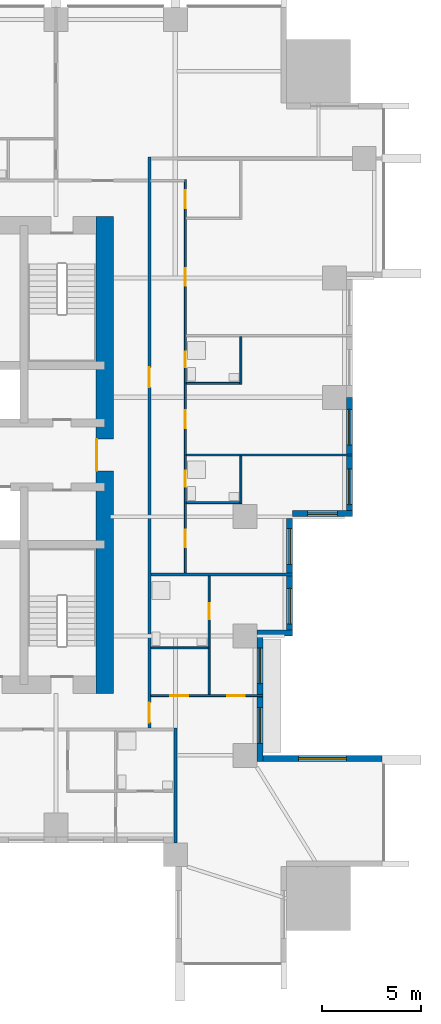
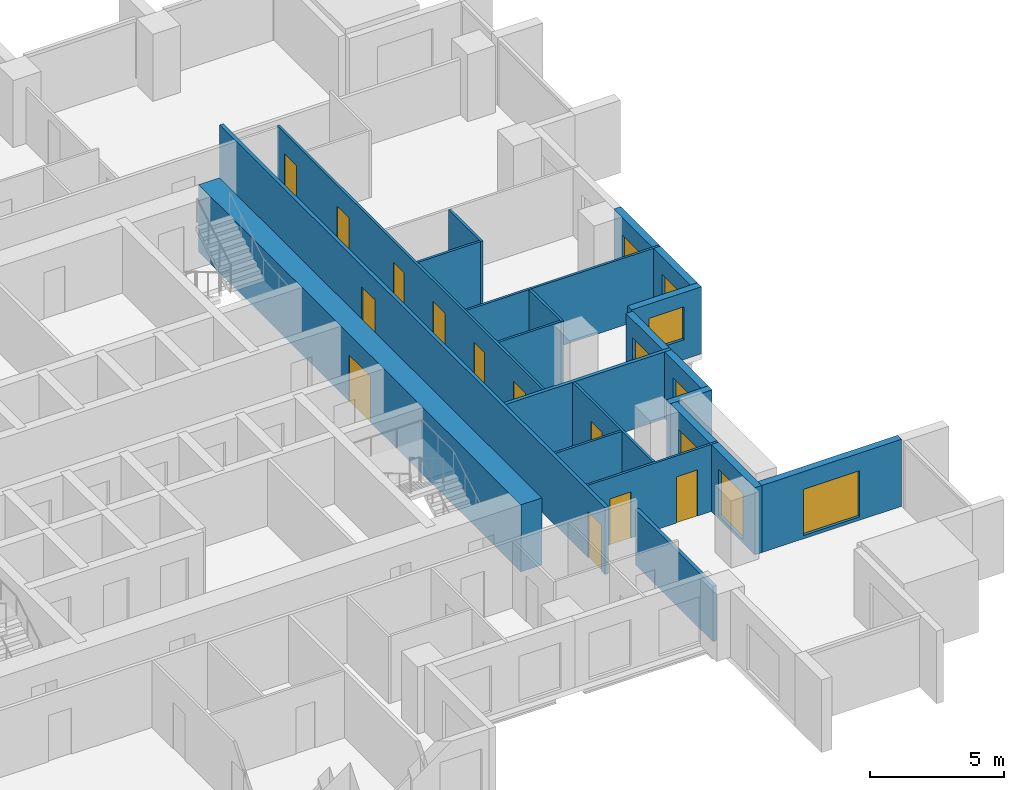
# One storey, part 6 of 10: 19 walls, 12 doors, 8 windows, 20 openings.
"""IFC4 building model written with IfcOpenShell, lengths in metres."""

from ifc_helpers import new_model, si_unit, direction, frame, frame_2d, origin, place, context, subcontext, project, spatial, rectangle, extrude, material, layer, layer_set, type_object, element, fill, save


model = new_model("IFC4")

# Units and contexts
model_context = context("Model", 3, precision=1e-05, world=origin(), true_north=direction((0.0, 1.0)))
body_context = subcontext(model_context, "Body", "Model", "MODEL_VIEW")
ifc_project = project(units=[si_unit("LENGTHUNIT", "METRE"), si_unit("AREAUNIT", "SQUARE_METRE"), si_unit("VOLUMEUNIT", "CUBIC_METRE"), si_unit("PLANEANGLEUNIT", "RADIAN"), si_unit("MASSUNIT", "GRAM", prefix="KILO")], contexts=[model_context])

# Site, building, storey
site_placement = place(None, origin())
site = spatial("IfcSite", under=ifc_project, at=site_placement, CompositionType="ELEMENT")
building_placement = place(site_placement, origin())
building = spatial("IfcBuilding", under=site, at=building_placement, Name="Amberfall Residences", CompositionType="ELEMENT")
storey_placement = place(building_placement, frame((0.0, 0.0, 46.60009765625)))
storey = spatial("IfcBuildingStorey", under=building, at=storey_placement, Name="L12", CompositionType="ELEMENT", Elevation=46.60009765625)

# Wall, opening, window
ifc_material_1 = material(Name="Pale stone cladding on insulated backing", Category="masonry")
ifc_layer_1 = layer(ifc_material_1, 0.300048828125)
ifc_layer_set_1 = layer_set([ifc_layer_1], Name="Bronze clad wall 300")
wall_type_1 = type_object("IfcWallType", Name="Bronze clad wall 300", PredefinedType="SOLIDWALL", material=ifc_layer_set_1)
wall_1_placement = place(storey_placement, frame((100.0, 30.25, 0.0), z_axis=(0.0, 0.0, 1.0), x_axis=(-1.0, 0.0, 0.0)))
wall_1 = element("IfcWall", 1, at=wall_1_placement, inside=storey, type_object=wall_type_1, Name="External wall L12 E", PredefinedType="SOLIDWALL", context=body_context, shape_type="SweptSolid", body=[
    extrude(rectangle(XDim=6.0, YDim=0.300048828125, at=frame_2d((3.0, 0.0))), origin(), (0.0, 0.0, 1.0), 3.0498046875),
])
opening_1_placement = place(wall_1_placement, frame((1.800048828125, 0.0, 0.14990234375)))
opening_1 = element("IfcOpeningElement", 2, at=opening_1_placement, cuts=wall_1, Name="Opening WN5", PredefinedType="OPENING", context=body_context, shape_type="SweptSolid", body=[
    extrude(rectangle(XDim=2.39990234375, YDim=2.10009765625, at=frame_2d((1.199951171875, 1.050048828125))), frame((0.0, 0.159912109375, 0.0), z_axis=(0.0, -1.0, 0.0), x_axis=(1.0, 0.0, 0.0)), (0.0, 0.0, 1.0), 0.320068359375),
])
ifc_material_2 = material(Name="Bronze aluminium framed glazing", Category="aluminium")
window_type_1 = type_object("IfcWindowType", Name="Glazed opening 2400 x 2100 bronze", PartitioningType="DOUBLE_PANEL_VERTICAL", PredefinedType="WINDOW", material=ifc_material_2)
window_1_placement = place(opening_1_placement, origin())
window_1 = element("IfcWindow", 3, at=window_1_placement, inside=storey, type_object=window_type_1, Name="Window L12 E", OverallHeight=2.10009765625, OverallWidth=2.39990234375, PartitioningType="DOUBLE_PANEL_VERTICAL", PredefinedType="WINDOW", context=body_context, shape_type="SweptSolid", body=[
    extrude(rectangle(XDim=2.39990234375, YDim=2.10009765625, at=frame_2d((1.199951171875, 1.050048828125))), frame((0.0, 0.030029296875, 0.0), z_axis=(0.0, -1.0, 0.0), x_axis=(1.0, 0.0, 0.0)), (0.0, 0.0, 1.0), 0.06005859375),
])
fill(opening_1, window_1)

# Wall
wall_2_placement = place(storey_placement, frame((93.699951171875, 36.550048828125, 0.0), z_axis=(0.0, 0.0, 1.0), x_axis=(1.0, 0.0, 0.0)))
element("IfcWall", 4, at=wall_2_placement, inside=storey, type_object=wall_type_1, Name="External wall L12 E", PredefinedType="SOLIDWALL", context=body_context, shape_type="SweptSolid", body=[
    extrude(rectangle(XDim=1.800048828125, YDim=0.300048828125, at=frame_2d((0.89990234375, 0.0))), origin(), (0.0, 0.0, 1.0), 3.0498046875),
])

# Wall, opening, window
wall_3_placement = place(storey_placement, frame((95.5, 42.550048828125, 0.0), z_axis=(0.0, 0.0, 1.0), x_axis=(1.0, 0.0, 0.0)))
wall_3 = element("IfcWall", 5, at=wall_3_placement, inside=storey, type_object=wall_type_1, Name="External wall L12 E", PredefinedType="SOLIDWALL", context=body_context, shape_type="SweptSolid", body=[
    extrude(rectangle(XDim=3.0, YDim=0.300048828125, at=frame_2d((1.5, 0.0))), origin(), (0.0, 0.0, 1.0), 3.0498046875),
])
opening_2_placement = place(wall_3_placement, frame((0.75, 0.0, 0.89990234375)))
opening_2 = element("IfcOpeningElement", 6, at=opening_2_placement, cuts=wall_3, Name="Opening WN1", PredefinedType="OPENING", context=body_context, shape_type="SweptSolid", body=[
    extrude(rectangle(XDim=1.5, YDim=1.5, at=frame_2d((0.75, 0.75))), frame((0.0, 0.159912109375, 0.0), z_axis=(0.0, -1.0, 0.0), x_axis=(1.0, 0.0, 0.0)), (0.0, 0.0, 1.0), 0.320068359375),
])
window_type_2 = type_object("IfcWindowType", Name="Window 1500 x 1500 bronze", PartitioningType="DOUBLE_PANEL_VERTICAL", PredefinedType="WINDOW", material=ifc_material_2)
window_2_placement = place(opening_2_placement, origin())
window_2 = element("IfcWindow", 7, at=window_2_placement, inside=storey, type_object=window_type_2, Name="Window L12 E", OverallHeight=1.5, OverallWidth=1.5, PartitioningType="DOUBLE_PANEL_VERTICAL", PredefinedType="WINDOW", context=body_context, shape_type="SweptSolid", body=[
    extrude(rectangle(XDim=1.5, YDim=1.5, at=frame_2d((0.75, 0.75))), frame((0.0, 0.030029296875, 0.0), z_axis=(0.0, -1.0, 0.0), x_axis=(1.0, 0.0, 0.0)), (0.0, 0.0, 1.0), 0.06005859375),
])
fill(opening_2, window_2)

# Wall, openings, windows
wall_4_placement = place(storey_placement, frame((93.85009765625, 30.10009765625, 0.0), z_axis=(0.0, 0.0, 1.0), x_axis=(0.0, 1.0, 0.0)))
wall_4 = element("IfcWall", 8, at=wall_4_placement, inside=storey, type_object=wall_type_1, Name="Stone wall L12 E", PredefinedType="SOLIDWALL", context=body_context, shape_type="SweptSolid", body=[
    extrude(rectangle(XDim=6.2998046875, YDim=0.300048828125, at=frame_2d((3.14990234375, 0.0))), origin(), (0.0, 0.0, 1.0), 3.0498046875),
])
opening_3_placement = place(wall_4_placement, frame((0.89990234375, 0.0, 0.14990234375)))
opening_3 = element("IfcOpeningElement", 9, at=opening_3_placement, cuts=wall_4, Name="Opening WN6", PredefinedType="OPENING", context=body_context, shape_type="SweptSolid", body=[
    extrude(rectangle(XDim=1.800048828125, YDim=2.10009765625, at=frame_2d((0.89990234375, 1.050048828125))), frame((0.0, 0.159912109375, 0.0), z_axis=(0.0, -1.0, 0.0), x_axis=(1.0, 0.0, 0.0)), (0.0, 0.0, 1.0), 0.320068359375),
])
opening_4_placement = place(wall_4_placement, frame((3.89990234375, 0.0, 0.14990234375)))
opening_4 = element("IfcOpeningElement", 10, at=opening_4_placement, cuts=wall_4, Name="Opening WN6", PredefinedType="OPENING", context=body_context, shape_type="SweptSolid", body=[
    extrude(rectangle(XDim=1.800048828125, YDim=2.10009765625, at=frame_2d((0.89990234375, 1.050048828125))), frame((0.0, 0.159912109375, 0.0), z_axis=(0.0, -1.0, 0.0), x_axis=(1.0, 0.0, 0.0)), (0.0, 0.0, 1.0), 0.320068359375),
])
window_type_3 = type_object("IfcWindowType", Name="Glazed opening 1800 x 2100 bronze", PartitioningType="DOUBLE_PANEL_VERTICAL", PredefinedType="WINDOW", material=ifc_material_2)
window_3_placement = place(opening_3_placement, origin())
window_3 = element("IfcWindow", 11, at=window_3_placement, inside=storey, type_object=window_type_3, Name="Window L12 E", OverallHeight=2.10009765625, OverallWidth=1.800048828125, PartitioningType="DOUBLE_PANEL_VERTICAL", PredefinedType="WINDOW", context=body_context, shape_type="SweptSolid", body=[
    extrude(rectangle(XDim=1.800048828125, YDim=2.10009765625, at=frame_2d((0.89990234375, 1.050048828125))), frame((0.0, 0.030029296875, 0.0), z_axis=(0.0, -1.0, 0.0), x_axis=(1.0, 0.0, 0.0)), (0.0, 0.0, 1.0), 0.06005859375),
])
fill(opening_3, window_3)
window_4_placement = place(opening_4_placement, origin())
window_4 = element("IfcWindow", 12, at=window_4_placement, inside=storey, type_object=window_type_3, Name="Window L12 E", OverallHeight=2.10009765625, OverallWidth=1.800048828125, PartitioningType="DOUBLE_PANEL_VERTICAL", PredefinedType="WINDOW", context=body_context, shape_type="SweptSolid", body=[
    extrude(rectangle(XDim=1.800048828125, YDim=2.10009765625, at=frame_2d((0.89990234375, 1.050048828125))), frame((0.0, 0.030029296875, 0.0), z_axis=(0.0, -1.0, 0.0), x_axis=(1.0, 0.0, 0.0)), (0.0, 0.0, 1.0), 0.06005859375),
])
fill(opening_4, window_4)

wall_5_placement = place(storey_placement, frame((95.35009765625, 36.699951171875, 0.0), z_axis=(0.0, 0.0, 1.0), x_axis=(0.0, 1.0, 0.0)))
wall_5 = element("IfcWall", 13, at=wall_5_placement, inside=storey, type_object=wall_type_1, Name="Stone wall L12 E", PredefinedType="SOLIDWALL", context=body_context, shape_type="SweptSolid", body=[
    extrude(rectangle(XDim=5.610107421875, YDim=0.300048828125, at=frame_2d((2.80517578125, 0.0))), origin(), (0.0, 0.0, 1.0), 3.0498046875),
])
opening_5_placement = place(wall_5_placement, frame((0.300048828125, 0.0, 0.14990234375)))
opening_5 = element("IfcOpeningElement", 14, at=opening_5_placement, cuts=wall_5, Name="Opening WN6", PredefinedType="OPENING", context=body_context, shape_type="SweptSolid", body=[
    extrude(rectangle(XDim=1.800048828125, YDim=2.10009765625, at=frame_2d((0.89990234375, 1.050048828125))), frame((0.0, 0.159912109375, 0.0), z_axis=(0.0, -1.0, 0.0), x_axis=(1.0, 0.0, 0.0)), (0.0, 0.0, 1.0), 0.320068359375),
])
opening_6_placement = place(wall_5_placement, frame((3.300048828125, 0.0, 0.14990234375)))
opening_6 = element("IfcOpeningElement", 15, at=opening_6_placement, cuts=wall_5, Name="Opening WN6", PredefinedType="OPENING", context=body_context, shape_type="SweptSolid", body=[
    extrude(rectangle(XDim=1.800048828125, YDim=2.10009765625, at=frame_2d((0.89990234375, 1.050048828125))), frame((0.0, 0.159912109375, 0.0), z_axis=(0.0, -1.0, 0.0), x_axis=(1.0, 0.0, 0.0)), (0.0, 0.0, 1.0), 0.320068359375),
])
window_5_placement = place(opening_5_placement, origin())
window_5 = element("IfcWindow", 16, at=window_5_placement, inside=storey, type_object=window_type_3, Name="Window L12 E", OverallHeight=2.10009765625, OverallWidth=1.800048828125, PartitioningType="DOUBLE_PANEL_VERTICAL", PredefinedType="WINDOW", context=body_context, shape_type="SweptSolid", body=[
    extrude(rectangle(XDim=1.800048828125, YDim=2.10009765625, at=frame_2d((0.89990234375, 1.050048828125))), frame((0.0, 0.030029296875, 0.0), z_axis=(0.0, -1.0, 0.0), x_axis=(1.0, 0.0, 0.0)), (0.0, 0.0, 1.0), 0.06005859375),
])
fill(opening_5, window_5)
window_6_placement = place(opening_6_placement, origin())
window_6 = element("IfcWindow", 17, at=window_6_placement, inside=storey, type_object=window_type_3, Name="Window L12 E", OverallHeight=2.10009765625, OverallWidth=1.800048828125, PartitioningType="DOUBLE_PANEL_VERTICAL", PredefinedType="WINDOW", context=body_context, shape_type="SweptSolid", body=[
    extrude(rectangle(XDim=1.800048828125, YDim=2.10009765625, at=frame_2d((0.89990234375, 1.050048828125))), frame((0.0, 0.030029296875, 0.0), z_axis=(0.0, -1.0, 0.0), x_axis=(1.0, 0.0, 0.0)), (0.0, 0.0, 1.0), 0.06005859375),
])
fill(opening_6, window_6)

wall_6_placement = place(storey_placement, frame((98.35009765625, 42.699951171875, 0.0), z_axis=(0.0, 0.0, 1.0), x_axis=(0.0, 1.0, 0.0)))
wall_6 = element("IfcWall", 18, at=wall_6_placement, inside=storey, type_object=wall_type_1, Name="Stone wall L12 E", PredefinedType="SOLIDWALL", context=body_context, shape_type="SweptSolid", body=[
    extrude(rectangle(XDim=5.699951171875, YDim=0.300048828125, at=frame_2d((2.85009765625, 0.0))), origin(), (0.0, 0.0, 1.0), 3.0498046875),
])
opening_7_placement = place(wall_6_placement, frame((0.300048828125, 0.0, 0.14990234375)))
opening_7 = element("IfcOpeningElement", 19, at=opening_7_placement, cuts=wall_6, Name="Opening WN6", PredefinedType="OPENING", context=body_context, shape_type="SweptSolid", body=[
    extrude(rectangle(XDim=1.800048828125, YDim=2.10009765625, at=frame_2d((0.89990234375, 1.050048828125))), frame((0.0, 0.159912109375, 0.0), z_axis=(0.0, -1.0, 0.0), x_axis=(1.0, 0.0, 0.0)), (0.0, 0.0, 1.0), 0.320068359375),
])
opening_8_placement = place(wall_6_placement, frame((3.300048828125, 0.0, 0.14990234375)))
opening_8 = element("IfcOpeningElement", 20, at=opening_8_placement, cuts=wall_6, Name="Opening WN6", PredefinedType="OPENING", context=body_context, shape_type="SweptSolid", body=[
    extrude(rectangle(XDim=1.800048828125, YDim=2.10009765625, at=frame_2d((0.89990234375, 1.050048828125))), frame((0.0, 0.159912109375, 0.0), z_axis=(0.0, -1.0, 0.0), x_axis=(1.0, 0.0, 0.0)), (0.0, 0.0, 1.0), 0.320068359375),
])
window_7_placement = place(opening_7_placement, origin())
window_7 = element("IfcWindow", 21, at=window_7_placement, inside=storey, type_object=window_type_3, Name="Window L12 E", OverallHeight=2.10009765625, OverallWidth=1.800048828125, PartitioningType="DOUBLE_PANEL_VERTICAL", PredefinedType="WINDOW", context=body_context, shape_type="SweptSolid", body=[
    extrude(rectangle(XDim=1.800048828125, YDim=2.10009765625, at=frame_2d((0.89990234375, 1.050048828125))), frame((0.0, 0.030029296875, 0.0), z_axis=(0.0, -1.0, 0.0), x_axis=(1.0, 0.0, 0.0)), (0.0, 0.0, 1.0), 0.06005859375),
])
fill(opening_7, window_7)
window_8_placement = place(opening_8_placement, origin())
window_8 = element("IfcWindow", 22, at=window_8_placement, inside=storey, type_object=window_type_3, Name="Window L12 E", OverallHeight=2.10009765625, OverallWidth=1.800048828125, PartitioningType="DOUBLE_PANEL_VERTICAL", PredefinedType="WINDOW", context=body_context, shape_type="SweptSolid", body=[
    extrude(rectangle(XDim=1.800048828125, YDim=2.10009765625, at=frame_2d((0.89990234375, 1.050048828125))), frame((0.0, 0.030029296875, 0.0), z_axis=(0.0, -1.0, 0.0), x_axis=(1.0, 0.0, 0.0)), (0.0, 0.0, 1.0), 0.06005859375),
])
fill(opening_8, window_8)

# Wall, opening, door
ifc_material_3 = material(Name="Concrete C80", Category="concrete")
ifc_layer_2 = layer(ifc_material_3, 0.89990234375)
ifc_layer_set_2 = layer_set([ifc_layer_2], Name="Core wall 900 C80")
wall_type_2 = type_object("IfcWallType", Name="Core wall 900 C80", PredefinedType="SHEAR", material=ifc_layer_set_2)
wall_7_placement = place(storey_placement, frame((86.050048828125, 33.5, 0.0), z_axis=(0.0, 0.0, 1.0), x_axis=(0.0, 1.0, 0.0)))
wall_7 = element("IfcWall", 23, at=wall_7_placement, inside=storey, type_object=wall_type_2, Name="Core wall RW1 L12 OE", PredefinedType="SHEAR", context=body_context, shape_type="SweptSolid", body=[
    extrude(rectangle(XDim=24.0, YDim=0.89990234375, at=frame_2d((12.0, 0.0))), origin(), (0.0, 0.0, 1.0), 3.0498046875),
])
opening_9_placement = place(wall_7_placement, frame((11.199951171875, 0.0, 0.0)))
opening_9 = element("IfcOpeningElement", 24, at=opening_9_placement, cuts=wall_7, Name="Opening LB1", PredefinedType="OPENING", context=body_context, shape_type="SweptSolid", body=[
    extrude(rectangle(XDim=1.60009765625, YDim=2.10009765625, at=frame_2d((0.800048828125, 1.050048828125))), frame((0.0, 0.4599609375, 0.0), z_axis=(0.0, -1.0, 0.0), x_axis=(1.0, 0.0, 0.0)), (0.0, 0.0, 1.0), 0.919921875),
])
ifc_material_4 = material(Name="Steel fire door set", Category="steel")
door_type_1 = type_object("IfcDoorType", Name="Lift lobby double door 1600 x 2100", OperationType="DOUBLE_DOOR_SINGLE_SWING", PredefinedType="DOOR", material=ifc_material_4)
door_1_placement = place(opening_9_placement, origin())
door_1 = element("IfcDoor", 25, at=door_1_placement, inside=storey, type_object=door_type_1, Name="LB1 L12", OperationType="DOUBLE_DOOR_SINGLE_SWING", OverallHeight=2.10009765625, OverallWidth=1.60009765625, PredefinedType="DOOR", context=body_context, shape_type="SweptSolid", body=[
    extrude(rectangle(XDim=1.60009765625, YDim=2.10009765625, at=frame_2d((0.800048828125, 1.050048828125))), frame((0.0, 0.4375, 0.0), z_axis=(0.0, -1.0, 0.0), x_axis=(1.0, 0.0, 0.0)), (0.0, 0.0, 1.0), 0.050048828125),
])
fill(opening_9, door_1)

# Wall, openings, doors
ifc_material_5 = material(Name="Gypsum board on metal stud")
ifc_layer_3 = layer(ifc_material_5, 0.10009765625)
ifc_layer_set_3 = layer_set([ifc_layer_3], Name="Flat partition 100")
wall_type_3 = type_object("IfcWallType", Name="Flat partition 100", PredefinedType="PARTITIONING", material=ifc_layer_set_3)
wall_8_placement = place(storey_placement, frame((90.10009765625, 59.35009765625, 0.0), z_axis=(0.0, 0.0, 1.0), x_axis=(0.0, -1.0, 0.0)))
wall_8 = element("IfcWall", 26, at=wall_8_placement, inside=storey, type_object=wall_type_3, Name="Partition 019", PredefinedType="PARTITIONING", context=body_context, shape_type="SweptSolid", body=[
    extrude(rectangle(XDim=19.775146484375, YDim=0.10009765625, at=frame_2d((9.8876953125, 0.0))), origin(), (0.0, 0.0, 1.0), 3.0498046875),
])
opening_10_placement = place(wall_8_placement, frame((4.449951171875, 0.0, 0.0)))
opening_10 = element("IfcOpeningElement", 27, at=opening_10_placement, cuts=wall_8, Name="Opening D41", PredefinedType="OPENING", context=body_context, shape_type="SweptSolid", body=[
    extrude(rectangle(XDim=0.89990234375, YDim=2.10009765625, at=frame_2d((0.449951171875, 1.050048828125))), frame((0.0, 0.06005859375, 0.0), z_axis=(0.0, -1.0, 0.0), x_axis=(1.0, 0.0, 0.0)), (0.0, 0.0, 1.0), 0.1201171875),
])
opening_11_placement = place(wall_8_placement, frame((0.550048828125, 0.0, 0.0)))
opening_11 = element("IfcOpeningElement", 28, at=opening_11_placement, cuts=wall_8, Name="Opening D41", PredefinedType="OPENING", context=body_context, shape_type="SweptSolid", body=[
    extrude(rectangle(XDim=0.89990234375, YDim=2.10009765625, at=frame_2d((0.449951171875, 1.050048828125))), frame((0.0, 0.06005859375, 0.0), z_axis=(0.0, -1.0, 0.0), x_axis=(1.0, 0.0, 0.0)), (0.0, 0.0, 1.0), 0.1201171875),
])
opening_12_placement = place(wall_8_placement, frame((17.60009765625, 0.0, 0.0)))
opening_12 = element("IfcOpeningElement", 29, at=opening_12_placement, cuts=wall_8, Name="Opening D41", PredefinedType="OPENING", context=body_context, shape_type="SweptSolid", body=[
    extrude(rectangle(XDim=0.89990234375, YDim=2.10009765625, at=frame_2d((0.449951171875, 1.050048828125))), frame((0.0, 0.06005859375, 0.0), z_axis=(0.0, -1.0, 0.0), x_axis=(1.0, 0.0, 0.0)), (0.0, 0.0, 1.0), 0.1201171875),
])
opening_13_placement = place(wall_8_placement, frame((11.60009765625, 0.0, 0.0)))
opening_13 = element("IfcOpeningElement", 30, at=opening_13_placement, cuts=wall_8, Name="Opening D41", PredefinedType="OPENING", context=body_context, shape_type="SweptSolid", body=[
    extrude(rectangle(XDim=0.89990234375, YDim=2.10009765625, at=frame_2d((0.449951171875, 1.050048828125))), frame((0.0, 0.06005859375, 0.0), z_axis=(0.0, -1.0, 0.0), x_axis=(1.0, 0.0, 0.0)), (0.0, 0.0, 1.0), 0.1201171875),
])
opening_14_placement = place(wall_8_placement, frame((14.64990234375, 0.0, 0.0)))
opening_14 = element("IfcOpeningElement", 31, at=opening_14_placement, cuts=wall_8, Name="Opening D42", PredefinedType="OPENING", context=body_context, shape_type="SweptSolid", body=[
    extrude(rectangle(XDim=0.800048828125, YDim=2.10009765625, at=frame_2d((0.39990234375, 1.050048828125))), frame((0.0, 0.06005859375, 0.0), z_axis=(0.0, -1.0, 0.0), x_axis=(1.0, 0.0, 0.0)), (0.0, 0.0, 1.0), 0.1201171875),
])
opening_15_placement = place(wall_8_placement, frame((8.64990234375, 0.0, 0.0)))
opening_15 = element("IfcOpeningElement", 32, at=opening_15_placement, cuts=wall_8, Name="Opening D42", PredefinedType="OPENING", context=body_context, shape_type="SweptSolid", body=[
    extrude(rectangle(XDim=0.800048828125, YDim=2.10009765625, at=frame_2d((0.39990234375, 1.050048828125))), frame((0.0, 0.06005859375, 0.0), z_axis=(0.0, -1.0, 0.0), x_axis=(1.0, 0.0, 0.0)), (0.0, 0.0, 1.0), 0.1201171875),
])
ifc_material_6 = material(Name="Timber", Category="wood")
door_type_2 = type_object("IfcDoorType", Name="Bathroom door 800 x 2100", OperationType="SINGLE_SWING_LEFT", PredefinedType="DOOR", material=ifc_material_6)
door_2_placement = place(opening_14_placement, origin())
door_2 = element("IfcDoor", 33, at=door_2_placement, inside=storey, type_object=door_type_2, Name="Door 1204 bath1", OperationType="SINGLE_SWING_LEFT", OverallHeight=2.10009765625, OverallWidth=0.800048828125, PredefinedType="DOOR", context=body_context, shape_type="SweptSolid", body=[
    extrude(rectangle(XDim=0.800048828125, YDim=2.10009765625, at=frame_2d((0.39990234375, 1.050048828125))), frame((0.0, 0.02490234375, 0.0), z_axis=(0.0, -1.0, 0.0), x_axis=(1.0, 0.0, 0.0)), (0.0, 0.0, 1.0), 0.050048828125),
])
fill(opening_14, door_2)
door_3_placement = place(opening_15_placement, origin())
door_3 = element("IfcDoor", 34, at=door_3_placement, inside=storey, type_object=door_type_2, Name="Door 1204 bath2", OperationType="SINGLE_SWING_LEFT", OverallHeight=2.10009765625, OverallWidth=0.800048828125, PredefinedType="DOOR", context=body_context, shape_type="SweptSolid", body=[
    extrude(rectangle(XDim=0.800048828125, YDim=2.10009765625, at=frame_2d((0.39990234375, 1.050048828125))), frame((0.0, 0.02490234375, 0.0), z_axis=(0.0, -1.0, 0.0), x_axis=(1.0, 0.0, 0.0)), (0.0, 0.0, 1.0), 0.050048828125),
])
fill(opening_15, door_3)
door_type_3 = type_object("IfcDoorType", Name="Internal door 900 x 2100", OperationType="SINGLE_SWING_LEFT", PredefinedType="DOOR", material=ifc_material_6)
door_4_placement = place(opening_10_placement, origin())
door_4 = element("IfcDoor", 35, at=door_4_placement, inside=storey, type_object=door_type_3, Name="Door 1204 living", OperationType="SINGLE_SWING_LEFT", OverallHeight=2.10009765625, OverallWidth=0.89990234375, PredefinedType="DOOR", context=body_context, shape_type="SweptSolid", body=[
    extrude(rectangle(XDim=0.89990234375, YDim=2.10009765625, at=frame_2d((0.449951171875, 1.050048828125))), frame((0.0, 0.02490234375, 0.0), z_axis=(0.0, -1.0, 0.0), x_axis=(1.0, 0.0, 0.0)), (0.0, 0.0, 1.0), 0.050048828125),
])
fill(opening_10, door_4)
door_5_placement = place(opening_11_placement, origin())
door_5 = element("IfcDoor", 36, at=door_5_placement, inside=storey, type_object=door_type_3, Name="Door 1204 kitchen", OperationType="SINGLE_SWING_LEFT", OverallHeight=2.10009765625, OverallWidth=0.89990234375, PredefinedType="DOOR", context=body_context, shape_type="SweptSolid", body=[
    extrude(rectangle(XDim=0.89990234375, YDim=2.10009765625, at=frame_2d((0.449951171875, 1.050048828125))), frame((0.0, 0.02490234375, 0.0), z_axis=(0.0, -1.0, 0.0), x_axis=(1.0, 0.0, 0.0)), (0.0, 0.0, 1.0), 0.050048828125),
])
fill(opening_11, door_5)
door_6_placement = place(opening_12_placement, origin())
door_6 = element("IfcDoor", 37, at=door_6_placement, inside=storey, type_object=door_type_3, Name="Door 1204 bedroom1", OperationType="SINGLE_SWING_LEFT", OverallHeight=2.10009765625, OverallWidth=0.89990234375, PredefinedType="DOOR", context=body_context, shape_type="SweptSolid", body=[
    extrude(rectangle(XDim=0.89990234375, YDim=2.10009765625, at=frame_2d((0.449951171875, 1.050048828125))), frame((0.0, 0.02490234375, 0.0), z_axis=(0.0, -1.0, 0.0), x_axis=(1.0, 0.0, 0.0)), (0.0, 0.0, 1.0), 0.050048828125),
])
fill(opening_12, door_6)
door_7_placement = place(opening_13_placement, origin())
door_7 = element("IfcDoor", 38, at=door_7_placement, inside=storey, type_object=door_type_3, Name="Door 1204 bedroom2", OperationType="SINGLE_SWING_LEFT", OverallHeight=2.10009765625, OverallWidth=0.89990234375, PredefinedType="DOOR", context=body_context, shape_type="SweptSolid", body=[
    extrude(rectangle(XDim=0.89990234375, YDim=2.10009765625, at=frame_2d((0.449951171875, 1.050048828125))), frame((0.0, 0.02490234375, 0.0), z_axis=(0.0, -1.0, 0.0), x_axis=(1.0, 0.0, 0.0)), (0.0, 0.0, 1.0), 0.050048828125),
])
fill(opening_13, door_7)

# Wall, opening, door
wall_9_placement = place(storey_placement, frame((91.300048828125, 33.449951171875, 0.0), z_axis=(0.0, 0.0, 1.0), x_axis=(0.0, 1.0, 0.0)))
wall_9 = element("IfcWall", 39, at=wall_9_placement, inside=storey, type_object=wall_type_3, Name="Partition 020", PredefinedType="PARTITIONING", context=body_context, shape_type="SweptSolid", body=[
    extrude(rectangle(XDim=5.97509765625, YDim=0.10009765625, at=frame_2d((2.987548828125, 0.0))), origin(), (0.0, 0.0, 1.0), 3.0498046875),
])
opening_16_placement = place(wall_9_placement, frame((3.800048828125, 0.0, 0.0)))
opening_16 = element("IfcOpeningElement", 40, at=opening_16_placement, cuts=wall_9, Name="Opening D42", PredefinedType="OPENING", context=body_context, shape_type="SweptSolid", body=[
    extrude(rectangle(XDim=0.800048828125, YDim=2.10009765625, at=frame_2d((0.39990234375, 1.050048828125))), frame((0.0, 0.06005859375, 0.0), z_axis=(0.0, -1.0, 0.0), x_axis=(1.0, 0.0, 0.0)), (0.0, 0.0, 1.0), 0.1201171875),
])
door_8_placement = place(opening_16_placement, origin())
door_8 = element("IfcDoor", 41, at=door_8_placement, inside=storey, type_object=door_type_2, Name="Door 1203 bath1", OperationType="SINGLE_SWING_LEFT", OverallHeight=2.10009765625, OverallWidth=0.800048828125, PredefinedType="DOOR", context=body_context, shape_type="SweptSolid", body=[
    extrude(rectangle(XDim=0.800048828125, YDim=2.10009765625, at=frame_2d((0.39990234375, 1.050048828125))), frame((0.0, 0.02490234375, 0.0), z_axis=(0.0, -1.0, 0.0), x_axis=(1.0, 0.0, 0.0)), (0.0, 0.0, 1.0), 0.050048828125),
])
fill(opening_16, door_8)

# Walls
for number, where, z_axis, x_axis, name in (
    (42, (92.89990234375, 43.050048828125, 0.0), (0.0, 0.0, 1.0), (0.0, 1.0, 0.0), "Partition 021"),
    (43, (92.89990234375, 49.050048828125, 0.0), (0.0, 0.0, 1.0), (0.0, 1.0, 0.0), "Partition 022"),
):
    element("IfcWall", number, at=place(storey_placement, frame(where, z_axis=z_axis, x_axis=x_axis)), inside=storey, type_object=wall_type_3, Name=name, PredefinedType="PARTITIONING", context=body_context, shape_type="SweptSolid", body=[
        extrude(rectangle(XDim=2.39990234375, YDim=0.10009765625, at=frame_2d((1.199951171875, 0.0))), origin(), (0.0, 0.0, 1.0), 3.0498046875),
    ])
wall_10_placement = place(storey_placement, frame((90.14990234375, 49.10009765625, 0.0), z_axis=(0.0, 0.0, 1.0), x_axis=(1.0, 0.0, 0.0)))
element("IfcWall", 44, at=wall_10_placement, inside=storey, type_object=wall_type_3, Name="Partition 034", PredefinedType="PARTITIONING", context=body_context, shape_type="SweptSolid", body=[
    extrude(rectangle(XDim=2.7001953125, YDim=0.10009765625, at=frame_2d((1.35009765625, 0.0))), origin(), (0.0, 0.0, 1.0), 3.0498046875),
])
wall_11_placement = place(storey_placement, frame((90.14990234375, 45.5, 0.0), z_axis=(0.0, 0.0, 1.0), x_axis=(1.0, 0.0, 0.0)))
element("IfcWall", 45, at=wall_11_placement, inside=storey, type_object=wall_type_3, Name="Partition 035", PredefinedType="PARTITIONING", context=body_context, shape_type="SweptSolid", body=[
    extrude(rectangle(XDim=8.35009765625, YDim=0.10009765625, at=frame_2d((4.175048828125, 0.0))), origin(), (0.0, 0.0, 1.0), 3.0498046875),
])
wall_12_placement = place(storey_placement, frame((90.14990234375, 43.10009765625, 0.0), z_axis=(0.0, 0.0, 1.0), x_axis=(1.0, 0.0, 0.0)))
element("IfcWall", 46, at=wall_12_placement, inside=storey, type_object=wall_type_3, Name="Partition 037", PredefinedType="PARTITIONING", context=body_context, shape_type="SweptSolid", body=[
    extrude(rectangle(XDim=2.7001953125, YDim=0.10009765625, at=frame_2d((1.35009765625, 0.0))), origin(), (0.0, 0.0, 1.0), 3.0498046875),
])
wall_13_placement = place(storey_placement, frame((88.375, 35.800048828125, 0.0), z_axis=(0.0, 0.0, 1.0), x_axis=(1.0, 0.0, 0.0)))
element("IfcWall", 47, at=wall_13_placement, inside=storey, type_object=wall_type_3, Name="Partition 041", PredefinedType="PARTITIONING", context=body_context, shape_type="SweptSolid", body=[
    extrude(rectangle(XDim=2.875, YDim=0.10009765625, at=frame_2d((1.4375, 0.0))), origin(), (0.0, 0.0, 1.0), 3.0498046875),
])

# Wall, openings, doors
wall_14_placement = place(storey_placement, frame((88.375, 33.39990234375, 0.0), z_axis=(0.0, 0.0, 1.0), x_axis=(1.0, 0.0, 0.0)))
wall_14 = element("IfcWall", 48, at=wall_14_placement, inside=storey, type_object=wall_type_3, Name="Partition 042", PredefinedType="PARTITIONING", context=body_context, shape_type="SweptSolid", body=[
    extrude(rectangle(XDim=5.625, YDim=0.10009765625, at=frame_2d((2.8125, 0.0))), origin(), (0.0, 0.0, 1.0), 3.0498046875),
])
opening_17_placement = place(wall_14_placement, frame((0.97509765625, 0.0, 0.0)))
opening_17 = element("IfcOpeningElement", 49, at=opening_17_placement, cuts=wall_14, Name="Opening D41", PredefinedType="OPENING", context=body_context, shape_type="SweptSolid", body=[
    extrude(rectangle(XDim=0.89990234375, YDim=2.10009765625, at=frame_2d((0.449951171875, 1.050048828125))), frame((0.0, 0.06005859375, 0.0), z_axis=(0.0, -1.0, 0.0), x_axis=(1.0, 0.0, 0.0)), (0.0, 0.0, 1.0), 0.1201171875),
])
opening_18_placement = place(wall_14_placement, frame((3.824951171875, 0.0, 0.0)))
opening_18 = element("IfcOpeningElement", 50, at=opening_18_placement, cuts=wall_14, Name="Opening D41", PredefinedType="OPENING", context=body_context, shape_type="SweptSolid", body=[
    extrude(rectangle(XDim=0.89990234375, YDim=2.10009765625, at=frame_2d((0.449951171875, 1.050048828125))), frame((0.0, 0.06005859375, 0.0), z_axis=(0.0, -1.0, 0.0), x_axis=(1.0, 0.0, 0.0)), (0.0, 0.0, 1.0), 0.1201171875),
])
door_9_placement = place(opening_17_placement, origin())
door_9 = element("IfcDoor", 51, at=door_9_placement, inside=storey, type_object=door_type_3, Name="Door 1203 kitchen", OperationType="SINGLE_SWING_LEFT", OverallHeight=2.10009765625, OverallWidth=0.89990234375, PredefinedType="DOOR", context=body_context, shape_type="SweptSolid", body=[
    extrude(rectangle(XDim=0.89990234375, YDim=2.10009765625, at=frame_2d((0.449951171875, 1.050048828125))), frame((0.0, 0.02490234375, 0.0), z_axis=(0.0, -1.0, 0.0), x_axis=(1.0, 0.0, 0.0)), (0.0, 0.0, 1.0), 0.050048828125),
])
fill(opening_17, door_9)
door_10_placement = place(opening_18_placement, origin())
door_10 = element("IfcDoor", 52, at=door_10_placement, inside=storey, type_object=door_type_3, Name="Door 1203 bedroom1", OperationType="SINGLE_SWING_LEFT", OverallHeight=2.10009765625, OverallWidth=0.89990234375, PredefinedType="DOOR", context=body_context, shape_type="SweptSolid", body=[
    extrude(rectangle(XDim=0.89990234375, YDim=2.10009765625, at=frame_2d((0.449951171875, 1.050048828125))), frame((0.0, 0.02490234375, 0.0), z_axis=(0.0, -1.0, 0.0), x_axis=(1.0, 0.0, 0.0)), (0.0, 0.0, 1.0), 0.050048828125),
])
fill(opening_18, door_10)

ifc_material_7 = material(Name="Blockwork, plastered", Category="masonry")
ifc_layer_4 = layer(ifc_material_7, 0.14990234375)
ifc_layer_set_4 = layer_set([ifc_layer_4], Name="Flat separating wall 150")
wall_type_4 = type_object("IfcWallType", Name="Flat separating wall 150", PredefinedType="PARTITIONING", material=ifc_layer_set_4)
wall_15_placement = place(storey_placement, frame((88.300048828125, 60.47509765625, 0.0), z_axis=(0.0, 0.0, 1.0), x_axis=(0.0, -1.0, 0.0)))
wall_15 = element("IfcWall", 53, at=wall_15_placement, inside=storey, type_object=wall_type_4, Name="Separating wall 051", PredefinedType="PARTITIONING", context=body_context, shape_type="SweptSolid", body=[
    extrude(rectangle(XDim=28.7001953125, YDim=0.14990234375, at=frame_2d((14.35009765625, 0.0))), origin(), (0.0, 0.0, 1.0), 3.0498046875),
])
opening_19_placement = place(wall_15_placement, frame((27.425048828125, 0.0, 0.0)))
opening_19 = element("IfcOpeningElement", 54, at=opening_19_placement, cuts=wall_15, Name="Opening D40", PredefinedType="OPENING", context=body_context, shape_type="SweptSolid", body=[
    extrude(rectangle(XDim=1.0, YDim=2.10009765625, at=frame_2d((0.5, 1.050048828125))), frame((0.0, 0.0849609375, 0.0), z_axis=(0.0, -1.0, 0.0), x_axis=(1.0, 0.0, 0.0)), (0.0, 0.0, 1.0), 0.169921875),
])
opening_20_placement = place(wall_15_placement, frame((10.574951171875, 0.0, 0.0)))
opening_20 = element("IfcOpeningElement", 55, at=opening_20_placement, cuts=wall_15, Name="Opening D40", PredefinedType="OPENING", context=body_context, shape_type="SweptSolid", body=[
    extrude(rectangle(XDim=1.0, YDim=2.10009765625, at=frame_2d((0.5, 1.050048828125))), frame((0.0, 0.0849609375, 0.0), z_axis=(0.0, -1.0, 0.0), x_axis=(1.0, 0.0, 0.0)), (0.0, 0.0, 1.0), 0.169921875),
])
ifc_material_8 = material(Name="Timber, fire-rated", Category="wood")
door_type_4 = type_object("IfcDoorType", Name="Flat entrance door FD60 1000 x 2100", OperationType="SINGLE_SWING_LEFT", PredefinedType="DOOR", material=ifc_material_8)
door_11_placement = place(opening_19_placement, origin())
door_11 = element("IfcDoor", 56, at=door_11_placement, inside=storey, type_object=door_type_4, Name="Door 1203 entrance", OperationType="SINGLE_SWING_LEFT", OverallHeight=2.10009765625, OverallWidth=1.0, PredefinedType="DOOR", context=body_context, shape_type="SweptSolid", body=[
    extrude(rectangle(XDim=1.0, YDim=2.10009765625, at=frame_2d((0.5, 1.050048828125))), frame((0.0, 0.02490234375, 0.0), z_axis=(0.0, -1.0, 0.0), x_axis=(1.0, 0.0, 0.0)), (0.0, 0.0, 1.0), 0.050048828125),
])
fill(opening_19, door_11)
door_12_placement = place(opening_20_placement, origin())
door_12 = element("IfcDoor", 57, at=door_12_placement, inside=storey, type_object=door_type_4, Name="Door 1204 entrance", OperationType="SINGLE_SWING_LEFT", OverallHeight=2.10009765625, OverallWidth=1.0, PredefinedType="DOOR", context=body_context, shape_type="SweptSolid", body=[
    extrude(rectangle(XDim=1.0, YDim=2.10009765625, at=frame_2d((0.5, 1.050048828125))), frame((0.0, 0.02490234375, 0.0), z_axis=(0.0, -1.0, 0.0), x_axis=(1.0, 0.0, 0.0)), (0.0, 0.0, 1.0), 0.050048828125),
])
fill(opening_20, door_12)

# Walls
wall_16_placement = place(storey_placement, frame((89.60009765625, 26.0, 0.0), z_axis=(0.0, 0.0, 1.0), x_axis=(0.0, 1.0, 0.0)))
element("IfcWall", 58, at=wall_16_placement, inside=storey, type_object=wall_type_4, Name="Separating wall 052", PredefinedType="PARTITIONING", context=body_context, shape_type="SweptSolid", body=[
    extrude(rectangle(XDim=5.77490234375, YDim=0.14990234375, at=frame_2d((2.887451171875, 0.0))), origin(), (0.0, 0.0, 1.0), 2.515869140625),
])
wall_17_placement = place(storey_placement, frame((88.375, 39.5, 0.0), z_axis=(0.0, 0.0, 1.0), x_axis=(1.0, 0.0, 0.0)))
element("IfcWall", 59, at=wall_17_placement, inside=storey, type_object=wall_type_4, Name="Separating wall 056", PredefinedType="PARTITIONING", context=body_context, shape_type="SweptSolid", body=[
    extrude(rectangle(XDim=7.125, YDim=0.14990234375, at=frame_2d((3.5625, 0.0))), origin(), (0.0, 0.0, 1.0), 3.0498046875),
])

save(model, "model.ifc")
